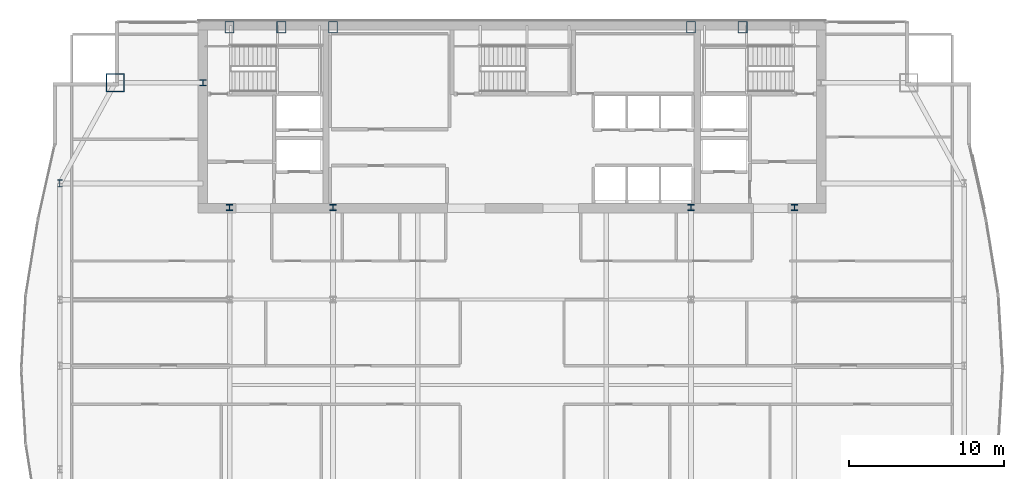
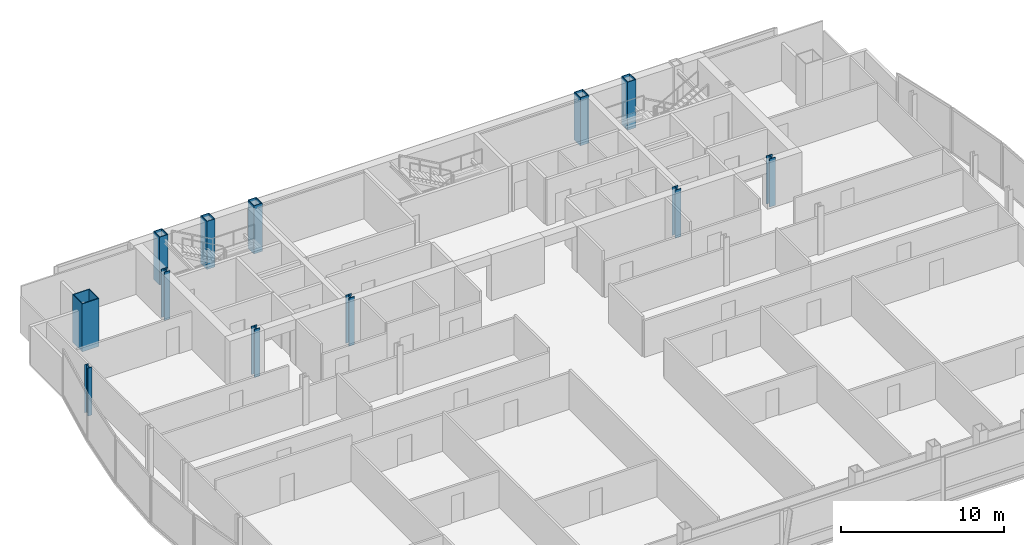
# One storey, part 3 of 30: 12 columns.
"""IFC4 building model written with IfcOpenShell, lengths in metres."""

from ifc_helpers import new_model, si_unit, direction, frame, origin, origin_2d, place, context, subcontext, project, spatial, hollow_rectangle, i_section, extrude, material, material_profile, profile_set, type_object, element, save


model = new_model("IFC4")

# Units and contexts
model_context = context("Model", 3, precision=1e-05, world=origin(), true_north=direction((0.0, 1.0)))
body_context = subcontext(model_context, "Body", "Model", "MODEL_VIEW")
ifc_project = project(units=[si_unit("LENGTHUNIT", "METRE"), si_unit("AREAUNIT", "SQUARE_METRE"), si_unit("VOLUMEUNIT", "CUBIC_METRE"), si_unit("PLANEANGLEUNIT", "RADIAN"), si_unit("MASSUNIT", "GRAM", prefix="KILO")], contexts=[model_context])

# Site, building, storey
site_placement = place(None, origin())
site = spatial("IfcSite", under=ifc_project, at=site_placement, CompositionType="ELEMENT")
building_placement = place(site_placement, origin())
building = spatial("IfcBuilding", under=site, at=building_placement, Name="Khoronbel Lancet Exchange", CompositionType="ELEMENT")
storey_placement = place(building_placement, frame((0.0, 0.0, 213.800048828125)))
storey = spatial("IfcBuildingStorey", under=building, at=storey_placement, Name="L54", CompositionType="ELEMENT", Elevation=213.800048828125)

# Columns
ifc_material_1 = material(Name="Steel S460", Category="steel")
ifc_material_profile_1 = material_profile(ifc_material_1, hollow_rectangle(XDim=0.60009765625, YDim=0.75, WallThickness=0.044921875, at=origin_2d()), Name="BOX 750x600x45")
ifc_profile_set_1 = profile_set([ifc_material_profile_1], Name="Steel S460")
column_type_1 = type_object("IfcColumnType", Name="COL-EC3", PredefinedType="COLUMN", material=ifc_profile_set_1)
for number, where, z_axis, x_axis, name in (
    (1, (18.22509765625, 53.280029296875, 0.0), (0.0, 0.0, 1.0), (1.0, 0.0, 0.0), "Structural column NC-W1 L54"),
    (2, (21.5625, 53.280029296875, 0.0), (0.0, 0.0, 1.0), (1.0, 0.0, 0.0), "Structural column NC-WM L54"),
    (3, (24.89990234375, 53.280029296875, 0.0), (0.0, 0.0, 1.0), (1.0, 0.0, 0.0), "Structural column NC-W2 L54"),
    (4, (48.0, 53.280029296875, 0.0), (0.0, 0.0, 1.0), (1.0, 0.0, 0.0), "Structural column NC-E1 L54"),
    (5, (51.33740234375, 53.280029296875, 0.0), (0.0, 0.0, 1.0), (1.0, 0.0, 0.0), "Structural column NC-EM L54"),
):
    element("IfcColumn", number, at=place(storey_placement, frame(where, z_axis=z_axis, x_axis=x_axis)), inside=storey, type_object=column_type_1, Name=name, PredefinedType="COLUMN", context=body_context, shape_type="SweptSolid", body=[
        extrude(hollow_rectangle(XDim=0.60009765625, YDim=0.75, WallThickness=0.044921875, at=origin_2d()), origin(), (0.0, 0.0, 1.0), 3.599853515625),
    ])
ifc_material_2 = material(Name="Steel S355", Category="steel")
ifc_material_profile_2 = material_profile(ifc_material_2, i_section(OverallWidth=0.406005859375, OverallDepth=0.416015625, WebThickness=0.02978515625, FlangeThickness=0.048095703125, at=origin_2d()), Name="HD 400x382")
ifc_profile_set_2 = profile_set([ifc_material_profile_2], Name="Steel S355")
column_type_2 = type_object("IfcColumnType", Name="COL-IC3", PredefinedType="COLUMN", material=ifc_profile_set_2)
for number, where, z_axis, x_axis, name in (
    (6, (16.5, 49.699951171875, 0.0), (0.0, 0.0, 1.0), (1.0, 0.0, 0.0), "Core-flank plumb transfer column CFW L54"),
    (7, (18.22509765625, 41.64990234375, 0.0), (0.0, 0.0, 1.0), (1.0, 0.0, 0.0), "Core-embedded steel column CTC1 L54"),
    (8, (24.89990234375, 41.64990234375, 0.0), (0.0, 0.0, 1.0), (1.0, 0.0, 0.0), "Core-embedded steel column CTC2 L54"),
    (9, (48.0, 41.64990234375, 0.0), (0.0, 0.0, 1.0), (1.0, 0.0, 0.0), "Core-embedded steel column CTC3 L54"),
    (10, (54.675048828125, 41.64990234375, 0.0), (0.0, 0.0, 1.0), (1.0, 0.0, 0.0), "Core-embedded steel column CTC4 L54"),
):
    element("IfcColumn", number, at=place(storey_placement, frame(where, z_axis=z_axis, x_axis=x_axis)), inside=storey, type_object=column_type_2, Name=name, PredefinedType="COLUMN", context=body_context, shape_type="SweptSolid", body=[
        extrude(i_section(OverallWidth=0.406005859375, OverallDepth=0.416015625, WebThickness=0.02978515625, FlangeThickness=0.048095703125, at=origin_2d()), origin(), (0.0, 0.0, 1.0), 3.599853515625),
    ])
ifc_material_profile_3 = material_profile(ifc_material_2, i_section(OverallWidth=0.300048828125, OverallDepth=0.449951171875, WebThickness=0.013916015625, FlangeThickness=0.02587890625, at=origin_2d()), Name="HEB 450")
ifc_profile_set_3 = profile_set([ifc_material_profile_3], Name="Steel S355")
column_type_3 = type_object("IfcColumnType", Name="COL-LC2", PredefinedType="COLUMN", material=ifc_profile_set_3)
column_1_placement = place(storey_placement, frame((7.27001953125, 43.199951171875, 0.0), z_axis=(0.0, 0.0, 1.0), x_axis=(1.0, 0.0, 0.0)))
element("IfcColumn", 11, at=column_1_placement, inside=storey, type_object=column_type_3, Name="Structural column WC-4 L54", PredefinedType="COLUMN", context=body_context, shape_type="SweptSolid", body=[
    extrude(i_section(OverallWidth=0.300048828125, OverallDepth=0.449951171875, WebThickness=0.013916015625, FlangeThickness=0.02587890625, at=origin_2d()), origin(), (0.0, 0.0, 1.0), 3.599853515625),
])
ifc_material_profile_4 = material_profile(ifc_material_1, hollow_rectangle(XDim=1.199951171875, YDim=1.199951171875, WallThickness=0.06005859375, at=origin_2d()), Name="BOX 1200x1200x60")
ifc_profile_set_4 = profile_set([ifc_material_profile_4], Name="Steel S460")
column_type_4 = type_object("IfcColumnType", Name="COL-MC5", PredefinedType="COLUMN", material=ifc_profile_set_4)
column_2_placement = place(storey_placement, frame((10.85009765625, 49.699951171875, 0.0), z_axis=(0.0, 0.0, 1.0), x_axis=(1.0, 0.0, 0.0)))
element("IfcColumn", 12, at=column_2_placement, inside=storey, type_object=column_type_4, Name="Structural column MC-NW L54", PredefinedType="COLUMN", context=body_context, shape_type="SweptSolid", body=[
    extrude(hollow_rectangle(XDim=1.199951171875, YDim=1.199951171875, WallThickness=0.06005859375, at=origin_2d()), origin(), (0.0, 0.0, 1.0), 3.599853515625),
])

save(model, "model.ifc")
